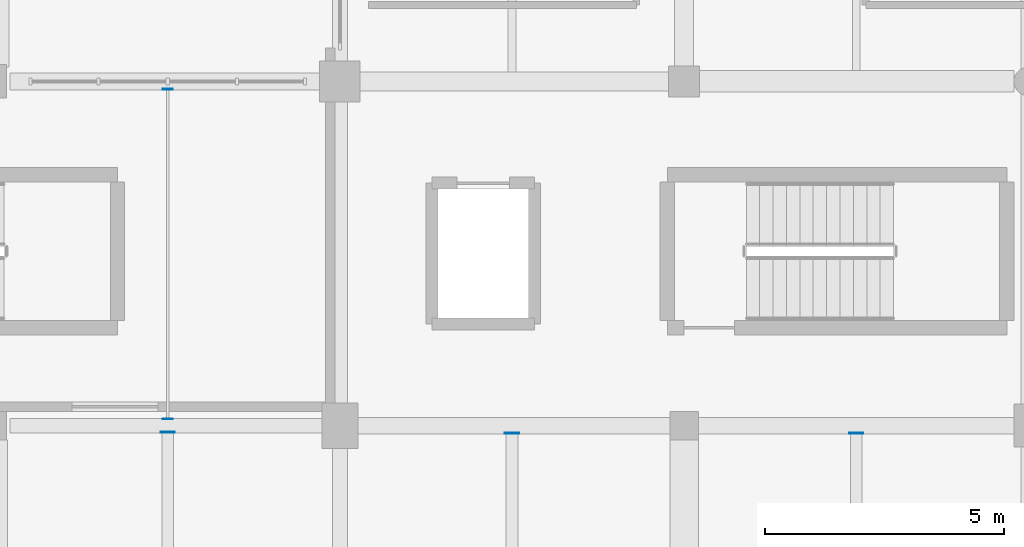
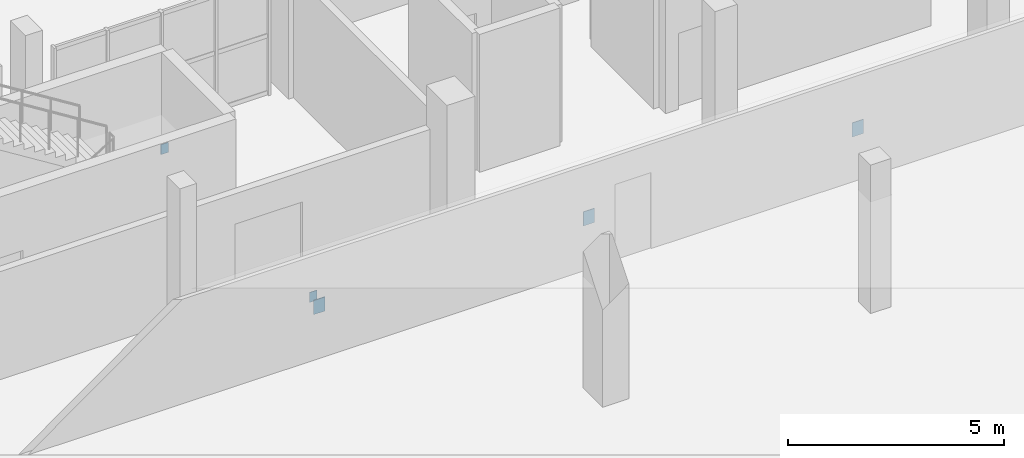
# One storey, part 64 of 90: 5 plates.
"""IFC4 building model written with IfcOpenShell, lengths in metres."""

from ifc_helpers import new_model, si_unit, direction, frame, origin, origin_2d, place, context, subcontext, project, spatial, rectangle, extrude, material, layer, layer_set, type_object, element, save


model = new_model("IFC4")

# Units and contexts
model_context = context("Model", 3, precision=1e-05, world=origin(), true_north=direction((0.0, 1.0)))
body_context = subcontext(model_context, "Body", "Model", "MODEL_VIEW")
ifc_project = project(units=[si_unit("LENGTHUNIT", "METRE"), si_unit("AREAUNIT", "SQUARE_METRE"), si_unit("VOLUMEUNIT", "CUBIC_METRE"), si_unit("PLANEANGLEUNIT", "RADIAN"), si_unit("MASSUNIT", "GRAM", prefix="KILO")], contexts=[model_context])

# Site, building, storey
site_placement = place(None, origin())
site = spatial("IfcSite", under=ifc_project, at=site_placement, CompositionType="ELEMENT")
building_placement = place(site_placement, origin())
building = spatial("IfcBuilding", under=site, at=building_placement, Name="Solanera Park Tramway Depot", CompositionType="ELEMENT")
storey_placement = place(building_placement, frame((0.0, 0.0, 9.0)))
storey = spatial("IfcBuildingStorey", under=building, at=storey_placement, Name="L02", CompositionType="ELEMENT", Elevation=9.0)

# Plates
ifc_material_1 = material(Name="Steel AS/NZS 3679.1 Grade 350", Category="steel")
ifc_layer_1 = layer(ifc_material_1, 0.013916015625)
ifc_layer_set_1 = layer_set([ifc_layer_1], Name="Steel AS/NZS 3679.1 Grade 350")
plate_type_1 = type_object("IfcPlateType", Name="Hollow End Cap and Base Plate 280x200x14", PredefinedType="USERDEFINED", material=ifc_layer_set_1)
for number, where, z_axis, x_axis, name in (
    (1, (162.0, 18.138916015625, -0.5791015625), (0.0, 0.0, 1.0), (0.0, 1.0, 0.0), "Hollow Section Welded End Cap Plate #0054"),
    (2, (162.0, 25.035888671875, -0.5791015625), (0.0, 0.0, 1.0), (0.0, 1.0, 0.0), "Hollow Section Welded End Cap Plate #0055"),
):
    element("IfcPlate", number, at=place(storey_placement, frame(where, z_axis=z_axis, x_axis=x_axis)), inside=storey, type_object=plate_type_1, Name=name, ObjectType="BASE PLATE", PredefinedType="USERDEFINED", context=body_context, shape_type="SweptSolid", body=[
        extrude(rectangle(XDim=0.013916015625, YDim=0.199951171875, at=origin_2d()), origin(), (0.0, 0.0, 1.0), 0.280029296875),
    ])
ifc_material_2 = material(Name="Steel AS/NZS 3679.1 Grade 350", Category="steel")
ifc_layer_2 = layer(ifc_material_2, 0.02001953125)
ifc_layer_set_2 = layer_set([ifc_layer_2], Name="Steel AS/NZS 3679.1 Grade 350")
plate_type_2 = type_object("IfcPlateType", Name="Hollow End Cap and Base Plate 400x300x20", PredefinedType="USERDEFINED", material=ifc_layer_set_2)
for number, where, z_axis, x_axis, name in (
    (3, (162.0, 17.864013671875, -0.739013671875), (0.0, 0.0, 1.0), (0.0, 1.0, 0.0), "Hollow Section Welded End Cap Plate #0041"),
    (4, (169.199951171875, 17.839111328125, -0.739013671875), (0.0, 0.0, 1.0), (0.0, 1.0, 0.0), "Hollow Section Welded End Cap Plate #0043"),
    (5, (176.39990234375, 17.839111328125, -0.739013671875), (0.0, 0.0, 1.0), (0.0, 1.0, 0.0), "Hollow Section Welded End Cap Plate #0045"),
):
    element("IfcPlate", number, at=place(storey_placement, frame(where, z_axis=z_axis, x_axis=x_axis)), inside=storey, type_object=plate_type_2, Name=name, ObjectType="BASE PLATE", PredefinedType="USERDEFINED", context=body_context, shape_type="SweptSolid", body=[
        extrude(rectangle(XDim=0.02001953125, YDim=0.300048828125, at=origin_2d()), origin(), (0.0, 0.0, 1.0), 0.39990234375),
    ])

save(model, "model.ifc")
